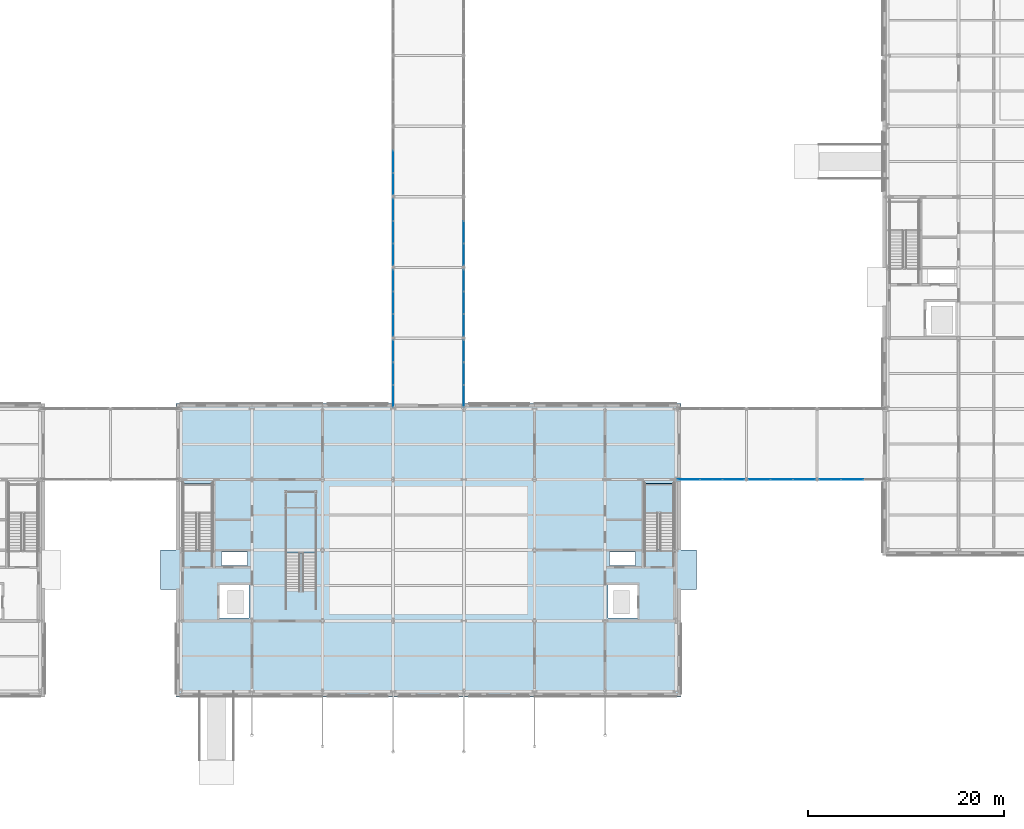
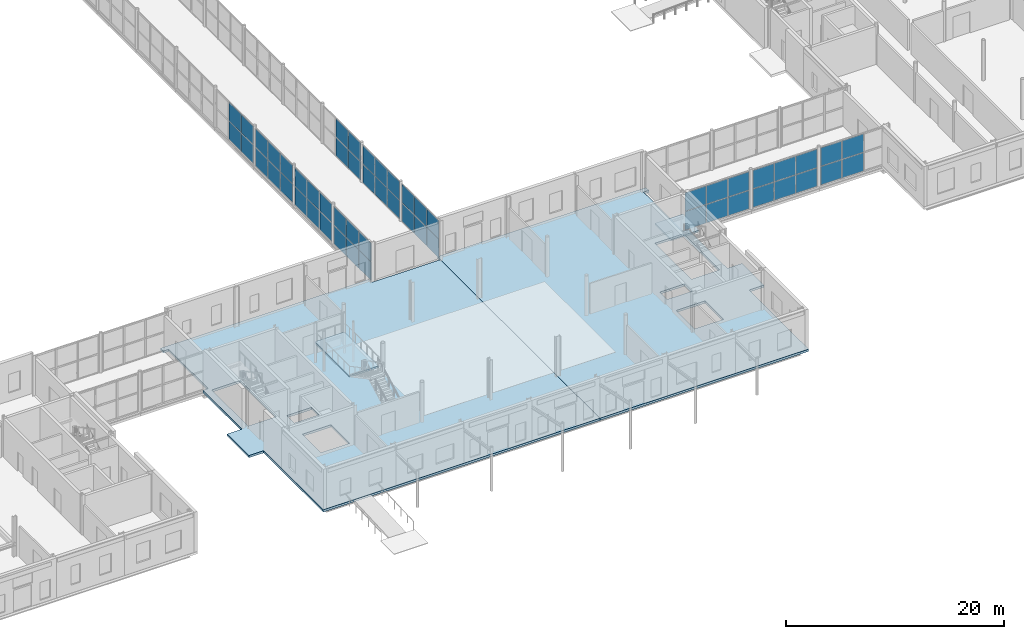
# One storey, part 44 of 92: 54 plates, 4 slabs, 12 elements without a shape of their own.
"""IFC4 building model written with IfcOpenShell, lengths in metres."""

from ifc_helpers import new_model, si_unit, direction, frame, origin, origin_2d, place, context, subcontext, project, spatial, polyline, rectangle, outline, extrude, material, layer, layer_set, type_object, element, aggregate, save


model = new_model("IFC4")

# Units and contexts
model_context = context("Model", 3, precision=1e-05, world=origin(), true_north=direction((0.0, 1.0)))
body_context = subcontext(model_context, "Body", "Model", "MODEL_VIEW")
ifc_project = project(units=[si_unit("LENGTHUNIT", "METRE"), si_unit("AREAUNIT", "SQUARE_METRE"), si_unit("VOLUMEUNIT", "CUBIC_METRE"), si_unit("PLANEANGLEUNIT", "RADIAN"), si_unit("MASSUNIT", "GRAM", prefix="KILO")], contexts=[model_context])

# Site, building, storey
site_placement = place(None, origin())
site = spatial("IfcSite", under=ifc_project, at=site_placement, CompositionType="ELEMENT")
building_placement = place(site_placement, origin())
building = spatial("IfcBuilding", under=site, at=building_placement, Name="Zlatovets Crest Museum", CompositionType="ELEMENT")
storey_placement = place(building_placement, origin())
storey = spatial("IfcBuildingStorey", under=building, at=storey_placement, Name="L00", CompositionType="ELEMENT", Elevation=0.0)

# Curtain wall, plates
ifc_material_1 = material(Name="Bronze-anodised aluminium and low-E triple glass", Category="aluminium")
curtain_wall_type_1 = type_object("IfcCurtainWallType", Name="CW_CW-BR4-L00-S69", PredefinedType="NOTDEFINED", material=ifc_material_1)
curtain_wall_1_placement = place(storey_placement, origin())
curtain_wall_1 = element("IfcCurtainWall", 1, at=curtain_wall_1_placement, inside=storey, type_object=curtain_wall_type_1, Name="Southeast Archive Glazed Link Bridge L00 Glazed Bridge Curtain Wall", PredefinedType="NOTDEFINED")
ifc_material_2 = material(Name="Solar-control low-E laminated triple glass", Category="glass")
ifc_layer_1 = layer(ifc_material_2, 0.030029296875)
ifc_layer_set_1 = layer_set([ifc_layer_1], Name="Solar-control low-E laminated triple glass")
plate_type_1 = type_object("IfcPlateType", Name="CWPanel_CW-BR4-L00-S69", PredefinedType="CURTAIN_PANEL", material=ifc_layer_set_1)
plate_1_placement = place(storey_placement, frame((109.31494140625, 21.60009765625, 0.06005859375), z_axis=(0.0, 0.0, 1.0), x_axis=(1.0, 0.0, 0.0)))
plate_1 = element("IfcPlate", 2, at=plate_1_placement, type_object=plate_type_1, Name="CW-BR4-L00-S69 panel 1.1", PredefinedType="CURTAIN_PANEL", context=body_context, shape_type="SweptSolid", body=[
    extrude(rectangle(XDim=2.2099609375, YDim=0.030029296875, at=origin_2d()), origin(), (0.0, 0.0, 1.0), 2.050048828125),
])
plate_2_placement = place(storey_placement, frame((109.31494140625, 21.60009765625, 2.169921875), z_axis=(0.0, 0.0, 1.0), x_axis=(1.0, 0.0, 0.0)))
plate_2 = element("IfcPlate", 3, at=plate_2_placement, type_object=plate_type_1, Name="CW-BR4-L00-S69 panel 1.2", PredefinedType="CURTAIN_PANEL", context=body_context, shape_type="SweptSolid", body=[
    extrude(rectangle(XDim=2.2099609375, YDim=0.030029296875, at=origin_2d()), origin(), (0.0, 0.0, 1.0), 2.050048828125),
])
plate_3_placement = place(storey_placement, frame((111.60009765625, 21.60009765625, 0.06005859375), z_axis=(0.0, 0.0, 1.0), x_axis=(1.0, 0.0, 0.0)))
plate_3 = element("IfcPlate", 4, at=plate_3_placement, type_object=plate_type_1, Name="CW-BR4-L00-S69 panel 2.1", PredefinedType="CURTAIN_PANEL", context=body_context, shape_type="SweptSolid", body=[
    extrude(rectangle(XDim=2.239990234375, YDim=0.030029296875, at=origin_2d()), origin(), (0.0, 0.0, 1.0), 2.050048828125),
])
plate_4_placement = place(storey_placement, frame((111.60009765625, 21.60009765625, 2.169921875), z_axis=(0.0, 0.0, 1.0), x_axis=(1.0, 0.0, 0.0)))
plate_4 = element("IfcPlate", 5, at=plate_4_placement, type_object=plate_type_1, Name="CW-BR4-L00-S69 panel 2.2", PredefinedType="CURTAIN_PANEL", context=body_context, shape_type="SweptSolid", body=[
    extrude(rectangle(XDim=2.239990234375, YDim=0.030029296875, at=origin_2d()), origin(), (0.0, 0.0, 1.0), 2.050048828125),
])
plate_5_placement = place(storey_placement, frame((113.885009765625, 21.60009765625, 0.06005859375), z_axis=(0.0, 0.0, 1.0), x_axis=(1.0, 0.0, 0.0)))
plate_5 = element("IfcPlate", 6, at=plate_5_placement, type_object=plate_type_1, Name="CW-BR4-L00-S69 panel 3.1", PredefinedType="CURTAIN_PANEL", context=body_context, shape_type="SweptSolid", body=[
    extrude(rectangle(XDim=2.2099609375, YDim=0.030029296875, at=origin_2d()), origin(), (0.0, 0.0, 1.0), 2.050048828125),
])
plate_6_placement = place(storey_placement, frame((113.885009765625, 21.60009765625, 2.169921875), z_axis=(0.0, 0.0, 1.0), x_axis=(1.0, 0.0, 0.0)))
plate_6 = element("IfcPlate", 7, at=plate_6_placement, type_object=plate_type_1, Name="CW-BR4-L00-S69 panel 3.2", PredefinedType="CURTAIN_PANEL", context=body_context, shape_type="SweptSolid", body=[
    extrude(rectangle(XDim=2.2099609375, YDim=0.030029296875, at=origin_2d()), origin(), (0.0, 0.0, 1.0), 2.050048828125),
])
aggregate(curtain_wall_1, [plate_1, plate_2, plate_3, plate_4, plate_5, plate_6])

curtain_wall_2_placement = place(storey_placement, origin())
curtain_wall_2 = element("IfcCurtainWall", 8, at=curtain_wall_2_placement, inside=storey, type_object=curtain_wall_type_1, Name="Southeast Archive Glazed Link Bridge L00 Glazed Bridge Curtain Wall", PredefinedType="NOTDEFINED")
plate_7_placement = place(storey_placement, frame((116.514892578125, 21.60009765625, 0.06005859375), z_axis=(0.0, 0.0, 1.0), x_axis=(1.0, 0.0, 0.0)))
plate_7 = element("IfcPlate", 9, at=plate_7_placement, type_object=plate_type_1, Name="CW-BR4-L00-S69 panel 1.1", PredefinedType="CURTAIN_PANEL", context=body_context, shape_type="SweptSolid", body=[
    extrude(rectangle(XDim=2.2099609375, YDim=0.030029296875, at=origin_2d()), origin(), (0.0, 0.0, 1.0), 2.050048828125),
])
plate_8_placement = place(storey_placement, frame((116.514892578125, 21.60009765625, 2.169921875), z_axis=(0.0, 0.0, 1.0), x_axis=(1.0, 0.0, 0.0)))
plate_8 = element("IfcPlate", 10, at=plate_8_placement, type_object=plate_type_1, Name="CW-BR4-L00-S69 panel 1.2", PredefinedType="CURTAIN_PANEL", context=body_context, shape_type="SweptSolid", body=[
    extrude(rectangle(XDim=2.2099609375, YDim=0.030029296875, at=origin_2d()), origin(), (0.0, 0.0, 1.0), 2.050048828125),
])
plate_9_placement = place(storey_placement, frame((118.800048828125, 21.60009765625, 0.06005859375), z_axis=(0.0, 0.0, 1.0), x_axis=(1.0, 0.0, 0.0)))
plate_9 = element("IfcPlate", 11, at=plate_9_placement, type_object=plate_type_1, Name="CW-BR4-L00-S69 panel 2.1", PredefinedType="CURTAIN_PANEL", context=body_context, shape_type="SweptSolid", body=[
    extrude(rectangle(XDim=2.239990234375, YDim=0.030029296875, at=origin_2d()), origin(), (0.0, 0.0, 1.0), 2.050048828125),
])
plate_10_placement = place(storey_placement, frame((118.800048828125, 21.60009765625, 2.169921875), z_axis=(0.0, 0.0, 1.0), x_axis=(1.0, 0.0, 0.0)))
plate_10 = element("IfcPlate", 12, at=plate_10_placement, type_object=plate_type_1, Name="CW-BR4-L00-S69 panel 2.2", PredefinedType="CURTAIN_PANEL", context=body_context, shape_type="SweptSolid", body=[
    extrude(rectangle(XDim=2.239990234375, YDim=0.030029296875, at=origin_2d()), origin(), (0.0, 0.0, 1.0), 2.050048828125),
])
plate_11_placement = place(storey_placement, frame((121.0849609375, 21.60009765625, 0.06005859375), z_axis=(0.0, 0.0, 1.0), x_axis=(1.0, 0.0, 0.0)))
plate_11 = element("IfcPlate", 13, at=plate_11_placement, type_object=plate_type_1, Name="CW-BR4-L00-S69 panel 3.1", PredefinedType="CURTAIN_PANEL", context=body_context, shape_type="SweptSolid", body=[
    extrude(rectangle(XDim=2.2099609375, YDim=0.030029296875, at=origin_2d()), origin(), (0.0, 0.0, 1.0), 2.050048828125),
])
plate_12_placement = place(storey_placement, frame((121.0849609375, 21.60009765625, 2.169921875), z_axis=(0.0, 0.0, 1.0), x_axis=(1.0, 0.0, 0.0)))
plate_12 = element("IfcPlate", 14, at=plate_12_placement, type_object=plate_type_1, Name="CW-BR4-L00-S69 panel 3.2", PredefinedType="CURTAIN_PANEL", context=body_context, shape_type="SweptSolid", body=[
    extrude(rectangle(XDim=2.2099609375, YDim=0.030029296875, at=origin_2d()), origin(), (0.0, 0.0, 1.0), 2.050048828125),
])
aggregate(curtain_wall_2, [plate_7, plate_8, plate_9, plate_10, plate_11, plate_12])

curtain_wall_3_placement = place(storey_placement, origin())
curtain_wall_3 = element("IfcCurtainWall", 15, at=curtain_wall_3_placement, inside=storey, type_object=curtain_wall_type_1, Name="Southeast Archive Glazed Link Bridge L00 Glazed Bridge Curtain Wall", PredefinedType="NOTDEFINED")
plate_13_placement = place(storey_placement, frame((123.715087890625, 21.60009765625, 0.06005859375), z_axis=(0.0, 0.0, 1.0), x_axis=(1.0, 0.0, 0.0)))
plate_13 = element("IfcPlate", 16, at=plate_13_placement, type_object=plate_type_1, Name="CW-BR4-L00-S69 panel 1.1", PredefinedType="CURTAIN_PANEL", context=body_context, shape_type="SweptSolid", body=[
    extrude(rectangle(XDim=2.2099609375, YDim=0.030029296875, at=origin_2d()), origin(), (0.0, 0.0, 1.0), 2.050048828125),
])
plate_14_placement = place(storey_placement, frame((123.715087890625, 21.60009765625, 2.169921875), z_axis=(0.0, 0.0, 1.0), x_axis=(1.0, 0.0, 0.0)))
plate_14 = element("IfcPlate", 17, at=plate_14_placement, type_object=plate_type_1, Name="CW-BR4-L00-S69 panel 1.2", PredefinedType="CURTAIN_PANEL", context=body_context, shape_type="SweptSolid", body=[
    extrude(rectangle(XDim=2.2099609375, YDim=0.030029296875, at=origin_2d()), origin(), (0.0, 0.0, 1.0), 2.050048828125),
])
plate_15_placement = place(storey_placement, frame((126.0, 21.60009765625, 0.06005859375), z_axis=(0.0, 0.0, 1.0), x_axis=(1.0, 0.0, 0.0)))
plate_15 = element("IfcPlate", 18, at=plate_15_placement, type_object=plate_type_1, Name="CW-BR4-L00-S69 panel 2.1", PredefinedType="CURTAIN_PANEL", context=body_context, shape_type="SweptSolid", body=[
    extrude(rectangle(XDim=2.239990234375, YDim=0.030029296875, at=origin_2d()), origin(), (0.0, 0.0, 1.0), 2.050048828125),
])
plate_16_placement = place(storey_placement, frame((126.0, 21.60009765625, 2.169921875), z_axis=(0.0, 0.0, 1.0), x_axis=(1.0, 0.0, 0.0)))
plate_16 = element("IfcPlate", 19, at=plate_16_placement, type_object=plate_type_1, Name="CW-BR4-L00-S69 panel 2.2", PredefinedType="CURTAIN_PANEL", context=body_context, shape_type="SweptSolid", body=[
    extrude(rectangle(XDim=2.239990234375, YDim=0.030029296875, at=origin_2d()), origin(), (0.0, 0.0, 1.0), 2.050048828125),
])
aggregate(curtain_wall_3, [plate_13, plate_14, plate_15, plate_16])

curtain_wall_type_2 = type_object("IfcCurtainWallType", Name="CW_CW-BR5-L00-S69", PredefinedType="NOTDEFINED", material=ifc_material_1)
curtain_wall_4_placement = place(storey_placement, origin())
curtain_wall_4 = element("IfcCurtainWall", 20, at=curtain_wall_4_placement, inside=storey, type_object=curtain_wall_type_2, Name="Central Sculpture Court Cloister and Skywalk L00 Glazed Bridge Curtain Wall", PredefinedType="NOTDEFINED")
ifc_layer_2 = layer(ifc_material_2, 0.030029296875)
ifc_layer_set_2 = layer_set([ifc_layer_2], Name="Solar-control low-E laminated triple glass")
plate_type_2 = type_object("IfcPlateType", Name="CWPanel_CW-BR5-L00-S69", PredefinedType="CURTAIN_PANEL", material=ifc_layer_set_2)
plate_17_placement = place(storey_placement, frame((79.199951171875, 30.114990234375, 0.06005859375), z_axis=(0.0, 0.0, 1.0), x_axis=(0.0, 1.0, 0.0)))
plate_17 = element("IfcPlate", 21, at=plate_17_placement, type_object=plate_type_2, Name="CW-BR5-L00-S69 panel 1.1", PredefinedType="CURTAIN_PANEL", context=body_context, shape_type="SweptSolid", body=[
    extrude(rectangle(XDim=2.2099609375, YDim=0.030029296875, at=origin_2d()), origin(), (0.0, 0.0, 1.0), 2.050048828125),
])
plate_18_placement = place(storey_placement, frame((79.199951171875, 30.114990234375, 2.169921875), z_axis=(0.0, 0.0, 1.0), x_axis=(0.0, 1.0, 0.0)))
plate_18 = element("IfcPlate", 22, at=plate_18_placement, type_object=plate_type_2, Name="CW-BR5-L00-S69 panel 1.2", PredefinedType="CURTAIN_PANEL", context=body_context, shape_type="SweptSolid", body=[
    extrude(rectangle(XDim=2.2099609375, YDim=0.030029296875, at=origin_2d()), origin(), (0.0, 0.0, 1.0), 2.050048828125),
])
plate_19_placement = place(storey_placement, frame((79.199951171875, 32.39990234375, 0.06005859375), z_axis=(0.0, 0.0, 1.0), x_axis=(0.0, 1.0, 0.0)))
plate_19 = element("IfcPlate", 23, at=plate_19_placement, type_object=plate_type_2, Name="CW-BR5-L00-S69 panel 2.1", PredefinedType="CURTAIN_PANEL", context=body_context, shape_type="SweptSolid", body=[
    extrude(rectangle(XDim=2.239990234375, YDim=0.030029296875, at=origin_2d()), origin(), (0.0, 0.0, 1.0), 2.050048828125),
])
plate_20_placement = place(storey_placement, frame((79.199951171875, 32.39990234375, 2.169921875), z_axis=(0.0, 0.0, 1.0), x_axis=(0.0, 1.0, 0.0)))
plate_20 = element("IfcPlate", 24, at=plate_20_placement, type_object=plate_type_2, Name="CW-BR5-L00-S69 panel 2.2", PredefinedType="CURTAIN_PANEL", context=body_context, shape_type="SweptSolid", body=[
    extrude(rectangle(XDim=2.239990234375, YDim=0.030029296875, at=origin_2d()), origin(), (0.0, 0.0, 1.0), 2.050048828125),
])
plate_21_placement = place(storey_placement, frame((79.199951171875, 34.68505859375, 0.06005859375), z_axis=(0.0, 0.0, 1.0), x_axis=(0.0, 1.0, 0.0)))
plate_21 = element("IfcPlate", 25, at=plate_21_placement, type_object=plate_type_2, Name="CW-BR5-L00-S69 panel 3.1", PredefinedType="CURTAIN_PANEL", context=body_context, shape_type="SweptSolid", body=[
    extrude(rectangle(XDim=2.2099609375, YDim=0.030029296875, at=origin_2d()), origin(), (0.0, 0.0, 1.0), 2.050048828125),
])
plate_22_placement = place(storey_placement, frame((79.199951171875, 34.68505859375, 2.169921875), z_axis=(0.0, 0.0, 1.0), x_axis=(0.0, 1.0, 0.0)))
plate_22 = element("IfcPlate", 26, at=plate_22_placement, type_object=plate_type_2, Name="CW-BR5-L00-S69 panel 3.2", PredefinedType="CURTAIN_PANEL", context=body_context, shape_type="SweptSolid", body=[
    extrude(rectangle(XDim=2.2099609375, YDim=0.030029296875, at=origin_2d()), origin(), (0.0, 0.0, 1.0), 2.050048828125),
])
aggregate(curtain_wall_4, [plate_17, plate_18, plate_19, plate_20, plate_21, plate_22])

curtain_wall_5_placement = place(storey_placement, origin())
curtain_wall_5 = element("IfcCurtainWall", 27, at=curtain_wall_5_placement, inside=storey, type_object=curtain_wall_type_2, Name="Central Sculpture Court Cloister and Skywalk L00 Glazed Bridge Curtain Wall", PredefinedType="NOTDEFINED")
plate_23_placement = place(storey_placement, frame((79.199951171875, 37.31494140625, 0.06005859375), z_axis=(0.0, 0.0, 1.0), x_axis=(0.0, 1.0, 0.0)))
plate_23 = element("IfcPlate", 28, at=plate_23_placement, type_object=plate_type_2, Name="CW-BR5-L00-S69 panel 1.1", PredefinedType="CURTAIN_PANEL", context=body_context, shape_type="SweptSolid", body=[
    extrude(rectangle(XDim=2.2099609375, YDim=0.030029296875, at=origin_2d()), origin(), (0.0, 0.0, 1.0), 2.050048828125),
])
plate_24_placement = place(storey_placement, frame((79.199951171875, 37.31494140625, 2.169921875), z_axis=(0.0, 0.0, 1.0), x_axis=(0.0, 1.0, 0.0)))
plate_24 = element("IfcPlate", 29, at=plate_24_placement, type_object=plate_type_2, Name="CW-BR5-L00-S69 panel 1.2", PredefinedType="CURTAIN_PANEL", context=body_context, shape_type="SweptSolid", body=[
    extrude(rectangle(XDim=2.2099609375, YDim=0.030029296875, at=origin_2d()), origin(), (0.0, 0.0, 1.0), 2.050048828125),
])
plate_25_placement = place(storey_placement, frame((79.199951171875, 39.60009765625, 0.06005859375), z_axis=(0.0, 0.0, 1.0), x_axis=(0.0, 1.0, 0.0)))
plate_25 = element("IfcPlate", 30, at=plate_25_placement, type_object=plate_type_2, Name="CW-BR5-L00-S69 panel 2.1", PredefinedType="CURTAIN_PANEL", context=body_context, shape_type="SweptSolid", body=[
    extrude(rectangle(XDim=2.239990234375, YDim=0.030029296875, at=origin_2d()), origin(), (0.0, 0.0, 1.0), 2.050048828125),
])
plate_26_placement = place(storey_placement, frame((79.199951171875, 39.60009765625, 2.169921875), z_axis=(0.0, 0.0, 1.0), x_axis=(0.0, 1.0, 0.0)))
plate_26 = element("IfcPlate", 31, at=plate_26_placement, type_object=plate_type_2, Name="CW-BR5-L00-S69 panel 2.2", PredefinedType="CURTAIN_PANEL", context=body_context, shape_type="SweptSolid", body=[
    extrude(rectangle(XDim=2.239990234375, YDim=0.030029296875, at=origin_2d()), origin(), (0.0, 0.0, 1.0), 2.050048828125),
])
plate_27_placement = place(storey_placement, frame((79.199951171875, 41.885009765625, 0.06005859375), z_axis=(0.0, 0.0, 1.0), x_axis=(0.0, 1.0, 0.0)))
plate_27 = element("IfcPlate", 32, at=plate_27_placement, type_object=plate_type_2, Name="CW-BR5-L00-S69 panel 3.1", PredefinedType="CURTAIN_PANEL", context=body_context, shape_type="SweptSolid", body=[
    extrude(rectangle(XDim=2.2099609375, YDim=0.030029296875, at=origin_2d()), origin(), (0.0, 0.0, 1.0), 2.050048828125),
])
plate_28_placement = place(storey_placement, frame((79.199951171875, 41.885009765625, 2.169921875), z_axis=(0.0, 0.0, 1.0), x_axis=(0.0, 1.0, 0.0)))
plate_28 = element("IfcPlate", 33, at=plate_28_placement, type_object=plate_type_2, Name="CW-BR5-L00-S69 panel 3.2", PredefinedType="CURTAIN_PANEL", context=body_context, shape_type="SweptSolid", body=[
    extrude(rectangle(XDim=2.2099609375, YDim=0.030029296875, at=origin_2d()), origin(), (0.0, 0.0, 1.0), 2.050048828125),
])
aggregate(curtain_wall_5, [plate_23, plate_24, plate_25, plate_26, plate_27, plate_28])

curtain_wall_6_placement = place(storey_placement, origin())
curtain_wall_6 = element("IfcCurtainWall", 34, at=curtain_wall_6_placement, inside=storey, type_object=curtain_wall_type_2, Name="Central Sculpture Court Cloister and Skywalk L00 Glazed Bridge Curtain Wall", PredefinedType="NOTDEFINED")
plate_29_placement = place(storey_placement, frame((79.199951171875, 44.514892578125, 0.06005859375), z_axis=(0.0, 0.0, 1.0), x_axis=(0.0, 1.0, 0.0)))
plate_29 = element("IfcPlate", 35, at=plate_29_placement, type_object=plate_type_2, Name="CW-BR5-L00-S69 panel 1.1", PredefinedType="CURTAIN_PANEL", context=body_context, shape_type="SweptSolid", body=[
    extrude(rectangle(XDim=2.2099609375, YDim=0.030029296875, at=origin_2d()), origin(), (0.0, 0.0, 1.0), 2.050048828125),
])
plate_30_placement = place(storey_placement, frame((79.199951171875, 44.514892578125, 2.169921875), z_axis=(0.0, 0.0, 1.0), x_axis=(0.0, 1.0, 0.0)))
plate_30 = element("IfcPlate", 36, at=plate_30_placement, type_object=plate_type_2, Name="CW-BR5-L00-S69 panel 1.2", PredefinedType="CURTAIN_PANEL", context=body_context, shape_type="SweptSolid", body=[
    extrude(rectangle(XDim=2.2099609375, YDim=0.030029296875, at=origin_2d()), origin(), (0.0, 0.0, 1.0), 2.050048828125),
])
plate_31_placement = place(storey_placement, frame((79.199951171875, 46.800048828125, 0.06005859375), z_axis=(0.0, 0.0, 1.0), x_axis=(0.0, 1.0, 0.0)))
plate_31 = element("IfcPlate", 37, at=plate_31_placement, type_object=plate_type_2, Name="CW-BR5-L00-S69 panel 2.1", PredefinedType="CURTAIN_PANEL", context=body_context, shape_type="SweptSolid", body=[
    extrude(rectangle(XDim=2.239990234375, YDim=0.030029296875, at=origin_2d()), origin(), (0.0, 0.0, 1.0), 2.050048828125),
])
plate_32_placement = place(storey_placement, frame((79.199951171875, 46.800048828125, 2.169921875), z_axis=(0.0, 0.0, 1.0), x_axis=(0.0, 1.0, 0.0)))
plate_32 = element("IfcPlate", 38, at=plate_32_placement, type_object=plate_type_2, Name="CW-BR5-L00-S69 panel 2.2", PredefinedType="CURTAIN_PANEL", context=body_context, shape_type="SweptSolid", body=[
    extrude(rectangle(XDim=2.239990234375, YDim=0.030029296875, at=origin_2d()), origin(), (0.0, 0.0, 1.0), 2.050048828125),
])
plate_33_placement = place(storey_placement, frame((79.199951171875, 49.0849609375, 0.06005859375), z_axis=(0.0, 0.0, 1.0), x_axis=(0.0, 1.0, 0.0)))
plate_33 = element("IfcPlate", 39, at=plate_33_placement, type_object=plate_type_2, Name="CW-BR5-L00-S69 panel 3.1", PredefinedType="CURTAIN_PANEL", context=body_context, shape_type="SweptSolid", body=[
    extrude(rectangle(XDim=2.2099609375, YDim=0.030029296875, at=origin_2d()), origin(), (0.0, 0.0, 1.0), 2.050048828125),
])
plate_34_placement = place(storey_placement, frame((79.199951171875, 49.0849609375, 2.169921875), z_axis=(0.0, 0.0, 1.0), x_axis=(0.0, 1.0, 0.0)))
plate_34 = element("IfcPlate", 40, at=plate_34_placement, type_object=plate_type_2, Name="CW-BR5-L00-S69 panel 3.2", PredefinedType="CURTAIN_PANEL", context=body_context, shape_type="SweptSolid", body=[
    extrude(rectangle(XDim=2.2099609375, YDim=0.030029296875, at=origin_2d()), origin(), (0.0, 0.0, 1.0), 2.050048828125),
])
aggregate(curtain_wall_6, [plate_29, plate_30, plate_31, plate_32, plate_33, plate_34])

curtain_wall_7_placement = place(storey_placement, origin())
curtain_wall_7 = element("IfcCurtainWall", 41, at=curtain_wall_7_placement, inside=storey, type_object=curtain_wall_type_2, Name="Central Sculpture Court Cloister and Skywalk L00 Glazed Bridge Curtain Wall", PredefinedType="NOTDEFINED")
plate_35_placement = place(storey_placement, frame((79.199951171875, 51.715087890625, 0.06005859375), z_axis=(0.0, 0.0, 1.0), x_axis=(0.0, 1.0, 0.0)))
plate_35 = element("IfcPlate", 42, at=plate_35_placement, type_object=plate_type_2, Name="CW-BR5-L00-S69 panel 1.1", PredefinedType="CURTAIN_PANEL", context=body_context, shape_type="SweptSolid", body=[
    extrude(rectangle(XDim=2.2099609375, YDim=0.030029296875, at=origin_2d()), origin(), (0.0, 0.0, 1.0), 2.050048828125),
])
plate_36_placement = place(storey_placement, frame((79.199951171875, 51.715087890625, 2.169921875), z_axis=(0.0, 0.0, 1.0), x_axis=(0.0, 1.0, 0.0)))
plate_36 = element("IfcPlate", 43, at=plate_36_placement, type_object=plate_type_2, Name="CW-BR5-L00-S69 panel 1.2", PredefinedType="CURTAIN_PANEL", context=body_context, shape_type="SweptSolid", body=[
    extrude(rectangle(XDim=2.2099609375, YDim=0.030029296875, at=origin_2d()), origin(), (0.0, 0.0, 1.0), 2.050048828125),
])
plate_37_placement = place(storey_placement, frame((79.199951171875, 54.0, 0.06005859375), z_axis=(0.0, 0.0, 1.0), x_axis=(0.0, 1.0, 0.0)))
plate_37 = element("IfcPlate", 44, at=plate_37_placement, type_object=plate_type_2, Name="CW-BR5-L00-S69 panel 2.1", PredefinedType="CURTAIN_PANEL", context=body_context, shape_type="SweptSolid", body=[
    extrude(rectangle(XDim=2.239990234375, YDim=0.030029296875, at=origin_2d()), origin(), (0.0, 0.0, 1.0), 2.050048828125),
])
plate_38_placement = place(storey_placement, frame((79.199951171875, 54.0, 2.169921875), z_axis=(0.0, 0.0, 1.0), x_axis=(0.0, 1.0, 0.0)))
plate_38 = element("IfcPlate", 45, at=plate_38_placement, type_object=plate_type_2, Name="CW-BR5-L00-S69 panel 2.2", PredefinedType="CURTAIN_PANEL", context=body_context, shape_type="SweptSolid", body=[
    extrude(rectangle(XDim=2.239990234375, YDim=0.030029296875, at=origin_2d()), origin(), (0.0, 0.0, 1.0), 2.050048828125),
])
aggregate(curtain_wall_7, [plate_35, plate_36, plate_37, plate_38])

curtain_wall_8_placement = place(storey_placement, origin())
curtain_wall_8 = element("IfcCurtainWall", 46, at=curtain_wall_8_placement, inside=storey, type_object=curtain_wall_type_2, Name="Central Sculpture Court Cloister and Skywalk L00 Glazed Bridge Curtain Wall", PredefinedType="NOTDEFINED")
plate_39_placement = place(storey_placement, frame((86.39990234375, 30.114990234375, 0.06005859375), z_axis=(0.0, 0.0, 1.0), x_axis=(0.0, 1.0, 0.0)))
plate_39 = element("IfcPlate", 47, at=plate_39_placement, type_object=plate_type_2, Name="CW-BR5-L00-S69 panel 1.1", PredefinedType="CURTAIN_PANEL", context=body_context, shape_type="SweptSolid", body=[
    extrude(rectangle(XDim=2.2099609375, YDim=0.030029296875, at=origin_2d()), origin(), (0.0, 0.0, 1.0), 2.050048828125),
])
plate_40_placement = place(storey_placement, frame((86.39990234375, 30.114990234375, 2.169921875), z_axis=(0.0, 0.0, 1.0), x_axis=(0.0, 1.0, 0.0)))
plate_40 = element("IfcPlate", 48, at=plate_40_placement, type_object=plate_type_2, Name="CW-BR5-L00-S69 panel 1.2", PredefinedType="CURTAIN_PANEL", context=body_context, shape_type="SweptSolid", body=[
    extrude(rectangle(XDim=2.2099609375, YDim=0.030029296875, at=origin_2d()), origin(), (0.0, 0.0, 1.0), 2.050048828125),
])
plate_41_placement = place(storey_placement, frame((86.39990234375, 32.39990234375, 0.06005859375), z_axis=(0.0, 0.0, 1.0), x_axis=(0.0, 1.0, 0.0)))
plate_41 = element("IfcPlate", 49, at=plate_41_placement, type_object=plate_type_2, Name="CW-BR5-L00-S69 panel 2.1", PredefinedType="CURTAIN_PANEL", context=body_context, shape_type="SweptSolid", body=[
    extrude(rectangle(XDim=2.239990234375, YDim=0.030029296875, at=origin_2d()), origin(), (0.0, 0.0, 1.0), 2.050048828125),
])
plate_42_placement = place(storey_placement, frame((86.39990234375, 32.39990234375, 2.169921875), z_axis=(0.0, 0.0, 1.0), x_axis=(0.0, 1.0, 0.0)))
plate_42 = element("IfcPlate", 50, at=plate_42_placement, type_object=plate_type_2, Name="CW-BR5-L00-S69 panel 2.2", PredefinedType="CURTAIN_PANEL", context=body_context, shape_type="SweptSolid", body=[
    extrude(rectangle(XDim=2.239990234375, YDim=0.030029296875, at=origin_2d()), origin(), (0.0, 0.0, 1.0), 2.050048828125),
])
plate_43_placement = place(storey_placement, frame((86.39990234375, 34.68505859375, 0.06005859375), z_axis=(0.0, 0.0, 1.0), x_axis=(0.0, 1.0, 0.0)))
plate_43 = element("IfcPlate", 51, at=plate_43_placement, type_object=plate_type_2, Name="CW-BR5-L00-S69 panel 3.1", PredefinedType="CURTAIN_PANEL", context=body_context, shape_type="SweptSolid", body=[
    extrude(rectangle(XDim=2.2099609375, YDim=0.030029296875, at=origin_2d()), origin(), (0.0, 0.0, 1.0), 2.050048828125),
])
plate_44_placement = place(storey_placement, frame((86.39990234375, 34.68505859375, 2.169921875), z_axis=(0.0, 0.0, 1.0), x_axis=(0.0, 1.0, 0.0)))
plate_44 = element("IfcPlate", 52, at=plate_44_placement, type_object=plate_type_2, Name="CW-BR5-L00-S69 panel 3.2", PredefinedType="CURTAIN_PANEL", context=body_context, shape_type="SweptSolid", body=[
    extrude(rectangle(XDim=2.2099609375, YDim=0.030029296875, at=origin_2d()), origin(), (0.0, 0.0, 1.0), 2.050048828125),
])
aggregate(curtain_wall_8, [plate_39, plate_40, plate_41, plate_42, plate_43, plate_44])

curtain_wall_9_placement = place(storey_placement, origin())
curtain_wall_9 = element("IfcCurtainWall", 53, at=curtain_wall_9_placement, inside=storey, type_object=curtain_wall_type_2, Name="Central Sculpture Court Cloister and Skywalk L00 Glazed Bridge Curtain Wall", PredefinedType="NOTDEFINED")
plate_45_placement = place(storey_placement, frame((86.39990234375, 37.31494140625, 0.06005859375), z_axis=(0.0, 0.0, 1.0), x_axis=(0.0, 1.0, 0.0)))
plate_45 = element("IfcPlate", 54, at=plate_45_placement, type_object=plate_type_2, Name="CW-BR5-L00-S69 panel 1.1", PredefinedType="CURTAIN_PANEL", context=body_context, shape_type="SweptSolid", body=[
    extrude(rectangle(XDim=2.2099609375, YDim=0.030029296875, at=origin_2d()), origin(), (0.0, 0.0, 1.0), 2.050048828125),
])
plate_46_placement = place(storey_placement, frame((86.39990234375, 37.31494140625, 2.169921875), z_axis=(0.0, 0.0, 1.0), x_axis=(0.0, 1.0, 0.0)))
plate_46 = element("IfcPlate", 55, at=plate_46_placement, type_object=plate_type_2, Name="CW-BR5-L00-S69 panel 1.2", PredefinedType="CURTAIN_PANEL", context=body_context, shape_type="SweptSolid", body=[
    extrude(rectangle(XDim=2.2099609375, YDim=0.030029296875, at=origin_2d()), origin(), (0.0, 0.0, 1.0), 2.050048828125),
])
plate_47_placement = place(storey_placement, frame((86.39990234375, 39.60009765625, 0.06005859375), z_axis=(0.0, 0.0, 1.0), x_axis=(0.0, 1.0, 0.0)))
plate_47 = element("IfcPlate", 56, at=plate_47_placement, type_object=plate_type_2, Name="CW-BR5-L00-S69 panel 2.1", PredefinedType="CURTAIN_PANEL", context=body_context, shape_type="SweptSolid", body=[
    extrude(rectangle(XDim=2.239990234375, YDim=0.030029296875, at=origin_2d()), origin(), (0.0, 0.0, 1.0), 2.050048828125),
])
plate_48_placement = place(storey_placement, frame((86.39990234375, 39.60009765625, 2.169921875), z_axis=(0.0, 0.0, 1.0), x_axis=(0.0, 1.0, 0.0)))
plate_48 = element("IfcPlate", 57, at=plate_48_placement, type_object=plate_type_2, Name="CW-BR5-L00-S69 panel 2.2", PredefinedType="CURTAIN_PANEL", context=body_context, shape_type="SweptSolid", body=[
    extrude(rectangle(XDim=2.239990234375, YDim=0.030029296875, at=origin_2d()), origin(), (0.0, 0.0, 1.0), 2.050048828125),
])
plate_49_placement = place(storey_placement, frame((86.39990234375, 41.885009765625, 0.06005859375), z_axis=(0.0, 0.0, 1.0), x_axis=(0.0, 1.0, 0.0)))
plate_49 = element("IfcPlate", 58, at=plate_49_placement, type_object=plate_type_2, Name="CW-BR5-L00-S69 panel 3.1", PredefinedType="CURTAIN_PANEL", context=body_context, shape_type="SweptSolid", body=[
    extrude(rectangle(XDim=2.2099609375, YDim=0.030029296875, at=origin_2d()), origin(), (0.0, 0.0, 1.0), 2.050048828125),
])
plate_50_placement = place(storey_placement, frame((86.39990234375, 41.885009765625, 2.169921875), z_axis=(0.0, 0.0, 1.0), x_axis=(0.0, 1.0, 0.0)))
plate_50 = element("IfcPlate", 59, at=plate_50_placement, type_object=plate_type_2, Name="CW-BR5-L00-S69 panel 3.2", PredefinedType="CURTAIN_PANEL", context=body_context, shape_type="SweptSolid", body=[
    extrude(rectangle(XDim=2.2099609375, YDim=0.030029296875, at=origin_2d()), origin(), (0.0, 0.0, 1.0), 2.050048828125),
])
aggregate(curtain_wall_9, [plate_45, plate_46, plate_47, plate_48, plate_49, plate_50])

curtain_wall_10_placement = place(storey_placement, origin())
curtain_wall_10 = element("IfcCurtainWall", 60, at=curtain_wall_10_placement, inside=storey, type_object=curtain_wall_type_2, Name="Central Sculpture Court Cloister and Skywalk L00 Glazed Bridge Curtain Wall", PredefinedType="NOTDEFINED")
plate_51_placement = place(storey_placement, frame((86.39990234375, 44.514892578125, 0.06005859375), z_axis=(0.0, 0.0, 1.0), x_axis=(0.0, 1.0, 0.0)))
plate_51 = element("IfcPlate", 61, at=plate_51_placement, type_object=plate_type_2, Name="CW-BR5-L00-S69 panel 1.1", PredefinedType="CURTAIN_PANEL", context=body_context, shape_type="SweptSolid", body=[
    extrude(rectangle(XDim=2.2099609375, YDim=0.030029296875, at=origin_2d()), origin(), (0.0, 0.0, 1.0), 2.050048828125),
])
plate_52_placement = place(storey_placement, frame((86.39990234375, 44.514892578125, 2.169921875), z_axis=(0.0, 0.0, 1.0), x_axis=(0.0, 1.0, 0.0)))
plate_52 = element("IfcPlate", 62, at=plate_52_placement, type_object=plate_type_2, Name="CW-BR5-L00-S69 panel 1.2", PredefinedType="CURTAIN_PANEL", context=body_context, shape_type="SweptSolid", body=[
    extrude(rectangle(XDim=2.2099609375, YDim=0.030029296875, at=origin_2d()), origin(), (0.0, 0.0, 1.0), 2.050048828125),
])
plate_53_placement = place(storey_placement, frame((86.39990234375, 46.800048828125, 0.06005859375), z_axis=(0.0, 0.0, 1.0), x_axis=(0.0, 1.0, 0.0)))
plate_53 = element("IfcPlate", 63, at=plate_53_placement, type_object=plate_type_2, Name="CW-BR5-L00-S69 panel 2.1", PredefinedType="CURTAIN_PANEL", context=body_context, shape_type="SweptSolid", body=[
    extrude(rectangle(XDim=2.239990234375, YDim=0.030029296875, at=origin_2d()), origin(), (0.0, 0.0, 1.0), 2.050048828125),
])
plate_54_placement = place(storey_placement, frame((86.39990234375, 46.800048828125, 2.169921875), z_axis=(0.0, 0.0, 1.0), x_axis=(0.0, 1.0, 0.0)))
plate_54 = element("IfcPlate", 64, at=plate_54_placement, type_object=plate_type_2, Name="CW-BR5-L00-S69 panel 2.2", PredefinedType="CURTAIN_PANEL", context=body_context, shape_type="SweptSolid", body=[
    extrude(rectangle(XDim=2.239990234375, YDim=0.030029296875, at=origin_2d()), origin(), (0.0, 0.0, 1.0), 2.050048828125),
])
aggregate(curtain_wall_10, [plate_51, plate_52, plate_53, plate_54])

# Slabs
ifc_material_3 = material(Name="Concrete C30/37", Category="concrete")
ifc_layer_3 = layer(ifc_material_3, 0.25)
ifc_layer_set_3 = layer_set([ifc_layer_3], Name="Concrete C30/37")
slab_type_1 = type_object("IfcSlabType", Name="Slab_FS-01", PredefinedType="FLOOR", material=ifc_layer_set_3)
slab_1_placement = place(storey_placement, frame((0.0, 0.0, -0.25)))
element("IfcSlab", 65, at=slab_1_placement, inside=storey, type_object=slab_type_1, Name="V2 L00 Structural Slab Panel 1", PredefinedType="FLOOR", context=body_context, shape_type="SweptSolid", body=[
    extrude(outline(polyline([(57.06005859375, 28.820068359375), (57.06005859375, 29.340087890625), (79.179931640625, 29.340087890625), (79.179931640625, 28.780029296875), (86.39990234375, 28.780029296875), (86.39990234375, -0.5400390625), (57.06005859375, -0.5400390625), (57.06005859375, 10.39990234375), (55.5, 10.39990234375), (55.5, 14.39990234375), (57.06005859375, 14.39990234375), (57.06005859375, 21.580078125), (57.6201171875, 21.580078125), (57.6201171875, 28.820068359375), (57.06005859375, 28.820068359375)]), holes=[polyline([(57.800048828125, 21.199951171875), (57.800048828125, 14.5400390625), (60.800048828125, 14.5400390625), (60.800048828125, 21.199951171875), (57.800048828125, 21.199951171875)]), polyline([(64.5, 7.5), (64.5, 10.89990234375), (61.449951171875, 10.89990234375), (61.449951171875, 7.5), (64.5, 7.5)]), polyline([(61.699951171875, 12.85009765625), (64.35009765625, 12.85009765625), (64.35009765625, 14.199951171875), (61.699951171875, 14.199951171875), (61.699951171875, 12.85009765625)])]), origin(), (0.0, 0.0, 1.0), 0.25),
])
slab_2_placement = place(storey_placement, frame((0.0, 0.0, -0.25)))
element("IfcSlab", 66, at=slab_2_placement, inside=storey, type_object=slab_type_1, Name="V2 L00 Structural Slab Panel 2", PredefinedType="FLOOR", context=body_context, shape_type="SweptSolid", body=[
    extrude(outline(polyline([(108.5400390625, 21.580078125), (108.5400390625, 14.39990234375), (110.10009765625, 14.39990234375), (110.10009765625, 10.39990234375), (108.5400390625, 10.39990234375), (108.5400390625, -0.5400390625), (86.39990234375, -0.5400390625), (86.39990234375, 28.780029296875), (86.419921875, 28.780029296875), (86.419921875, 29.340087890625), (108.5400390625, 29.340087890625), (108.5400390625, 28.820068359375), (107.97998046875, 28.820068359375), (107.97998046875, 21.580078125), (108.5400390625, 21.580078125)]), holes=[polyline([(107.800048828125, 21.199951171875), (104.800048828125, 21.199951171875), (104.800048828125, 14.5400390625), (107.800048828125, 14.5400390625), (107.800048828125, 21.199951171875)]), polyline([(101.10009765625, 10.89990234375), (101.10009765625, 7.5), (104.14990234375, 7.5), (104.14990234375, 10.89990234375), (101.10009765625, 10.89990234375)]), polyline([(103.89990234375, 14.199951171875), (101.25, 14.199951171875), (101.25, 12.85009765625), (103.89990234375, 12.85009765625), (103.89990234375, 14.199951171875)])]), origin(), (0.0, 0.0, 1.0), 0.25),
])

# Stair, slab
ifc_material_4 = material(Name="Concrete C35/45", Category="concrete")
stair_type_1 = type_object("IfcStairType", Name="Stair_ST9-28R", PredefinedType="HALF_TURN_STAIR", material=ifc_material_4)
stair_1_placement = place(storey_placement, origin())
stair_1 = element("IfcStair", 67, at=stair_1_placement, inside=storey, type_object=stair_type_1, Name="L00 Core C8 Escape Stair ST9", PredefinedType="HALF_TURN_STAIR")
ifc_layer_4 = layer(ifc_material_4, 0.199951171875)
ifc_layer_set_4 = layer_set([ifc_layer_4], Name="Concrete C35/45")
slab_type_2 = type_object("IfcSlabType", Name="StairLanding_SLD1", PredefinedType="LANDING", material=ifc_layer_set_4)
slab_3_placement = place(storey_placement, frame((0.0, 0.0, 2.050048828125)))
slab_3 = element("IfcSlab", 68, at=slab_3_placement, type_object=slab_type_2, Name="ST9 landing 1", PredefinedType="LANDING", context=body_context, shape_type="SweptSolid", body=[
    extrude(outline(polyline([(107.800048828125, 18.199951171875), (107.800048828125, 21.199951171875), (104.800048828125, 21.199951171875), (104.800048828125, 18.199951171875), (107.800048828125, 18.199951171875)])), origin(), (0.0, 0.0, 1.0), 0.199951171875),
])
aggregate(stair_1, [slab_3])

stair_type_2 = type_object("IfcStairType", Name="Stair_ST6-28R", PredefinedType="HALF_TURN_STAIR", material=ifc_material_4)
stair_2_placement = place(storey_placement, origin())
stair_2 = element("IfcStair", 69, at=stair_2_placement, inside=storey, type_object=stair_type_2, Name="L00 Atrium Feature Stair ST6", PredefinedType="HALF_TURN_STAIR")
slab_4_placement = place(storey_placement, frame((0.0, 0.0, 2.050048828125)))
slab_4 = element("IfcSlab", 70, at=slab_4_placement, type_object=slab_type_2, Name="ST6 landing 1", PredefinedType="LANDING", context=body_context, shape_type="SweptSolid", body=[
    extrude(outline(polyline([(71.39990234375, 14.10009765625), (71.39990234375, 20.39990234375), (68.25, 20.39990234375), (68.25, 14.10009765625), (71.39990234375, 14.10009765625)])), origin(), (0.0, 0.0, 1.0), 0.199951171875),
])
aggregate(stair_2, [slab_4])

save(model, "model.ifc")
